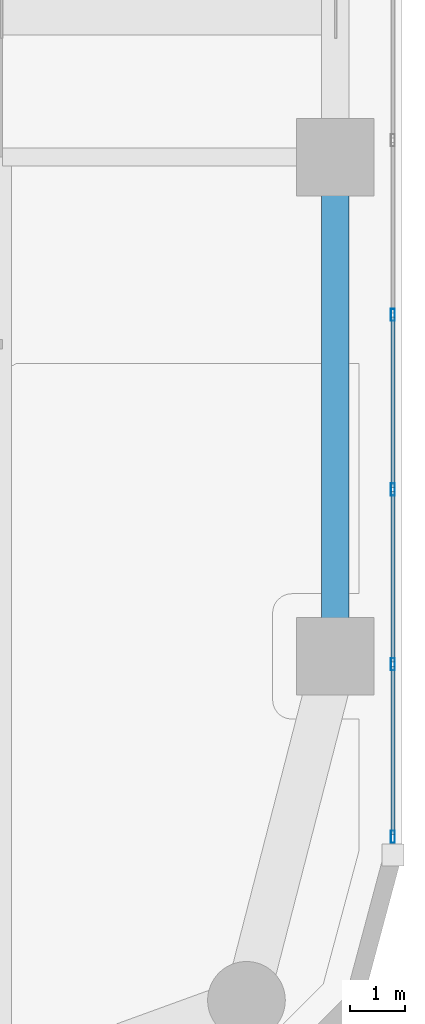
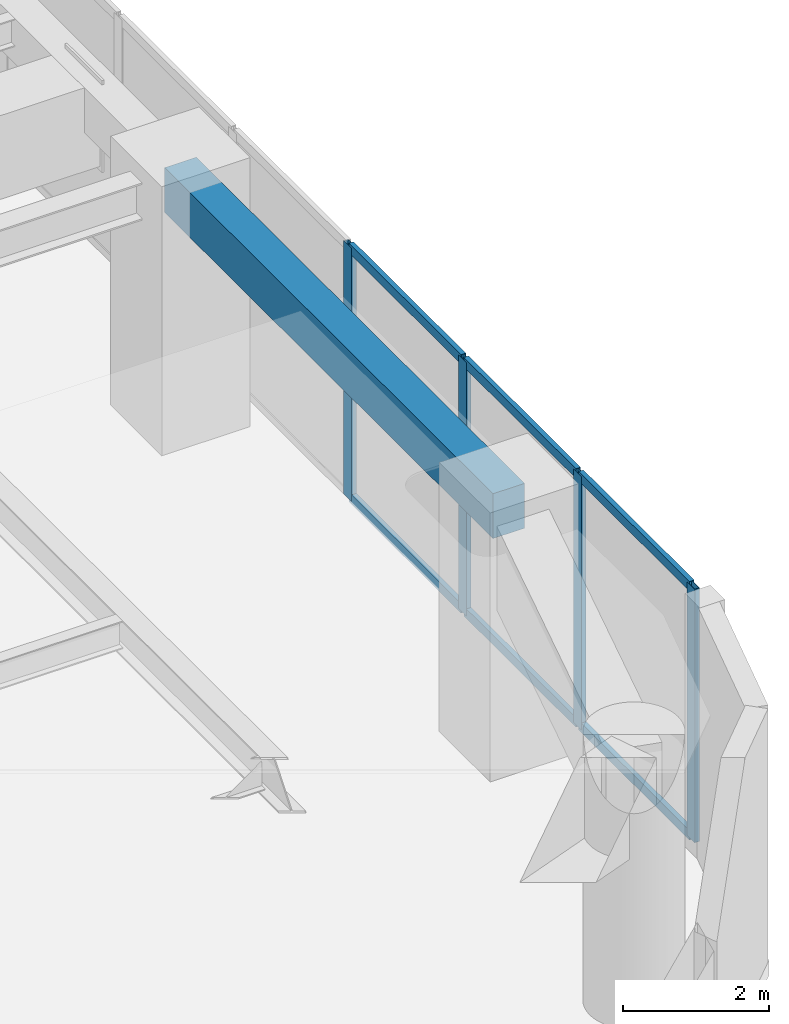
# One storey, part 4 of 23: 10 members, 1 beam, 1 element without a shape of its own.
"""IFC4 building model written with IfcOpenShell, lengths in metres."""

from ifc_helpers import new_model, si_unit, direction, frame, origin, origin_2d, place, context, subcontext, project, spatial, rectangle, hollow_rectangle, extrude, material, layer, layer_set, material_profile, profile_set, type_object, element, aggregate, save


model = new_model("IFC4")

# Units and contexts
model_context = context("Model", 3, precision=1e-05, world=origin(), true_north=direction((0.0, 1.0)))
body_context = subcontext(model_context, "Body", "Model", "MODEL_VIEW")
ifc_project = project(units=[si_unit("LENGTHUNIT", "METRE"), si_unit("AREAUNIT", "SQUARE_METRE"), si_unit("VOLUMEUNIT", "CUBIC_METRE"), si_unit("PLANEANGLEUNIT", "RADIAN"), si_unit("MASSUNIT", "GRAM", prefix="KILO")], contexts=[model_context])

# Site, building, storey
site_placement = place(None, origin())
site = spatial("IfcSite", under=ifc_project, at=site_placement, CompositionType="ELEMENT")
building_placement = place(site_placement, origin())
building = spatial("IfcBuilding", under=site, at=building_placement, Name="Kiyonajd Concourse Tower", CompositionType="ELEMENT")
storey_placement = place(building_placement, frame((0.0, 0.0, 120.89990234375)))
storey = spatial("IfcBuildingStorey", under=building, at=storey_placement, Name="L31", CompositionType="ELEMENT", Elevation=120.89990234375)

# Beam
ifc_material_1 = material(Name="Precast concrete C50/60", Category="concrete")
ifc_material_profile_1 = material_profile(ifc_material_1, rectangle(XDim=0.5, YDim=0.75, at=origin_2d()), Name="RCBM-500x750")
ifc_profile_set_1 = profile_set([ifc_material_profile_1], Name="Precast concrete C50/60")
beam_type = type_object("IfcBeamType", Name="BM-SPAN-RC", PredefinedType="SPANDREL", material=ifc_profile_set_1)
beam_placement = place(storey_placement, frame((69.60009765625, 18.60009765625, 3.864990234375), z_axis=(0.0, 1.0, 0.0), x_axis=(-1.0, 0.0, 0.0)))
element("IfcBeam", 1, at=beam_placement, inside=storey, type_object=beam_type, Name="L31 Perimeter Bundled Tube Spandrel", PredefinedType="SPANDREL", context=body_context, shape_type="SweptSolid", body=[
    extrude(rectangle(XDim=0.5, YDim=0.75, at=origin_2d()), origin(), (0.0, 0.0, 1.0), 9.0),
])

# Curtain wall, members
ifc_material_2 = material(Name="Thermally Broken Anodised Aluminium", Category="aluminium")
ifc_layer = layer(ifc_material_2, 0.179931640625)
ifc_layer_set = layer_set([ifc_layer], Name="Thermally Broken Anodised Aluminium")
curtain_wall_type = type_object("IfcCurtainWallType", Name="CW-SYS-05", PredefinedType="NOTDEFINED", material=ifc_layer_set)
curtain_wall_placement = place(storey_placement, origin())
curtain_wall = element("IfcCurtainWall", 2, at=curtain_wall_placement, inside=storey, type_object=curtain_wall_type, Name="L31 Unitised Curtain Wall CW5", PredefinedType="NOTDEFINED")
ifc_material_profile_2 = material_profile(ifc_material_2, hollow_rectangle(XDim=0.074951171875, YDim=0.219970703125, WallThickness=0.0048828125, at=origin_2d()), Name="MULL-75x220")
ifc_profile_set_2 = profile_set([ifc_material_profile_2], Name="Thermally Broken Anodised Aluminium")
member_type_1 = type_object("IfcMemberType", Name="MB-CW-MULL2", PredefinedType="MULLION", material=ifc_profile_set_2)
member_1_placement = place(storey_placement, frame((70.639892578125, 24.75634765625, 0.0), z_axis=(0.0, 0.0, 1.0), x_axis=(1.0, 0.0, 0.0)))
member_1 = element("IfcMember", 3, at=member_1_placement, type_object=member_type_1, Name="CW5 mullion 5", PredefinedType="MULLION", context=body_context, shape_type="SweptSolid", body=[
    extrude(hollow_rectangle(XDim=0.074951171875, YDim=0.219970703125, WallThickness=0.0048828125, at=origin_2d()), origin(), (0.0, 0.0, 1.0), 4.239990234375),
])
member_2_placement = place(storey_placement, frame((70.639892578125, 21.60791015625, 0.0), z_axis=(0.0, 0.0, 1.0), x_axis=(1.0, 0.0, 0.0)))
member_2 = element("IfcMember", 4, at=member_2_placement, type_object=member_type_1, Name="CW5 mullion 6", PredefinedType="MULLION", context=body_context, shape_type="SweptSolid", body=[
    extrude(hollow_rectangle(XDim=0.074951171875, YDim=0.219970703125, WallThickness=0.0048828125, at=origin_2d()), origin(), (0.0, 0.0, 1.0), 4.239990234375),
])
member_3_placement = place(storey_placement, frame((70.639892578125, 18.45947265625, 0.0), z_axis=(0.0, 0.0, 1.0), x_axis=(1.0, 0.0, 0.0)))
member_3 = element("IfcMember", 5, at=member_3_placement, type_object=member_type_1, Name="CW5 mullion 7", PredefinedType="MULLION", context=body_context, shape_type="SweptSolid", body=[
    extrude(hollow_rectangle(XDim=0.074951171875, YDim=0.219970703125, WallThickness=0.0048828125, at=origin_2d()), origin(), (0.0, 0.0, 1.0), 4.239990234375),
])
member_4_placement = place(storey_placement, frame((70.639892578125, 15.3486328125, 0.0), z_axis=(0.0, 0.0, 1.0), x_axis=(1.0, 0.0, 0.0)))
member_4 = element("IfcMember", 6, at=member_4_placement, type_object=member_type_1, Name="CW5 mullion 8", PredefinedType="MULLION", context=body_context, shape_type="SweptSolid", body=[
    extrude(hollow_rectangle(XDim=0.074951171875, YDim=0.219970703125, WallThickness=0.0048828125, at=origin_2d()), origin(), (0.0, 0.0, 1.0), 4.239990234375),
])
ifc_material_profile_3 = material_profile(ifc_material_2, hollow_rectangle(XDim=0.074951171875, YDim=0.159912109375, WallThickness=0.0048828125, at=origin_2d()), Name="TRAN-75x160")
ifc_profile_set_3 = profile_set([ifc_material_profile_3], Name="Thermally Broken Anodised Aluminium")
member_type_2 = type_object("IfcMemberType", Name="MB-CW-TRAN2", PredefinedType="USERDEFINED", material=ifc_profile_set_3)
member_5_placement = place(storey_placement, frame((70.639892578125, 24.71875, 0.03759765625), z_axis=(0.0, -1.0, 0.0), x_axis=(1.0, 0.0, 0.0)))
member_5 = element("IfcMember", 7, at=member_5_placement, type_object=member_type_2, Name="CW5 transom 5.1", ObjectType="TRANSOM", PredefinedType="USERDEFINED", context=body_context, shape_type="SweptSolid", body=[
    extrude(hollow_rectangle(XDim=0.074951171875, YDim=0.159912109375, WallThickness=0.0048828125, at=origin_2d()), origin(), (0.0, 0.0, 1.0), 3.0732421875),
])
member_6_placement = place(storey_placement, frame((70.639892578125, 24.71875, 4.20263671875), z_axis=(0.0, -1.0, 0.0), x_axis=(1.0, 0.0, 0.0)))
member_6 = element("IfcMember", 8, at=member_6_placement, type_object=member_type_2, Name="CW5 transom 5.2", ObjectType="TRANSOM", PredefinedType="USERDEFINED", context=body_context, shape_type="SweptSolid", body=[
    extrude(hollow_rectangle(XDim=0.074951171875, YDim=0.159912109375, WallThickness=0.0048828125, at=origin_2d()), origin(), (0.0, 0.0, 1.0), 3.0732421875),
])
member_7_placement = place(storey_placement, frame((70.639892578125, 21.5703125, 0.03759765625), z_axis=(0.0, -1.0, 0.0), x_axis=(1.0, 0.0, 0.0)))
member_7 = element("IfcMember", 9, at=member_7_placement, type_object=member_type_2, Name="CW5 transom 6.1", ObjectType="TRANSOM", PredefinedType="USERDEFINED", context=body_context, shape_type="SweptSolid", body=[
    extrude(hollow_rectangle(XDim=0.074951171875, YDim=0.159912109375, WallThickness=0.0048828125, at=origin_2d()), origin(), (0.0, 0.0, 1.0), 3.0732421875),
])
member_8_placement = place(storey_placement, frame((70.639892578125, 21.5703125, 4.20263671875), z_axis=(0.0, -1.0, 0.0), x_axis=(1.0, 0.0, 0.0)))
member_8 = element("IfcMember", 10, at=member_8_placement, type_object=member_type_2, Name="CW5 transom 6.2", ObjectType="TRANSOM", PredefinedType="USERDEFINED", context=body_context, shape_type="SweptSolid", body=[
    extrude(hollow_rectangle(XDim=0.074951171875, YDim=0.159912109375, WallThickness=0.0048828125, at=origin_2d()), origin(), (0.0, 0.0, 1.0), 3.0732421875),
])
member_9_placement = place(storey_placement, frame((70.639892578125, 18.422119140625, 0.03759765625), z_axis=(0.0, -1.0, 0.0), x_axis=(1.0, 0.0, 0.0)))
member_9 = element("IfcMember", 11, at=member_9_placement, type_object=member_type_2, Name="CW5 transom 7.1", ObjectType="TRANSOM", PredefinedType="USERDEFINED", context=body_context, shape_type="SweptSolid", body=[
    extrude(hollow_rectangle(XDim=0.074951171875, YDim=0.159912109375, WallThickness=0.0048828125, at=origin_2d()), origin(), (0.0, 0.0, 1.0), 3.0361328125),
])
member_10_placement = place(storey_placement, frame((70.639892578125, 18.422119140625, 4.20263671875), z_axis=(0.0, -1.0, 0.0), x_axis=(1.0, 0.0, 0.0)))
member_10 = element("IfcMember", 12, at=member_10_placement, type_object=member_type_2, Name="CW5 transom 7.2", ObjectType="TRANSOM", PredefinedType="USERDEFINED", context=body_context, shape_type="SweptSolid", body=[
    extrude(hollow_rectangle(XDim=0.074951171875, YDim=0.159912109375, WallThickness=0.0048828125, at=origin_2d()), origin(), (0.0, 0.0, 1.0), 3.0361328125),
])
aggregate(curtain_wall, [member_1, member_2, member_3, member_4, member_5, member_6, member_7, member_8, member_9, member_10])

save(model, "model.ifc")
